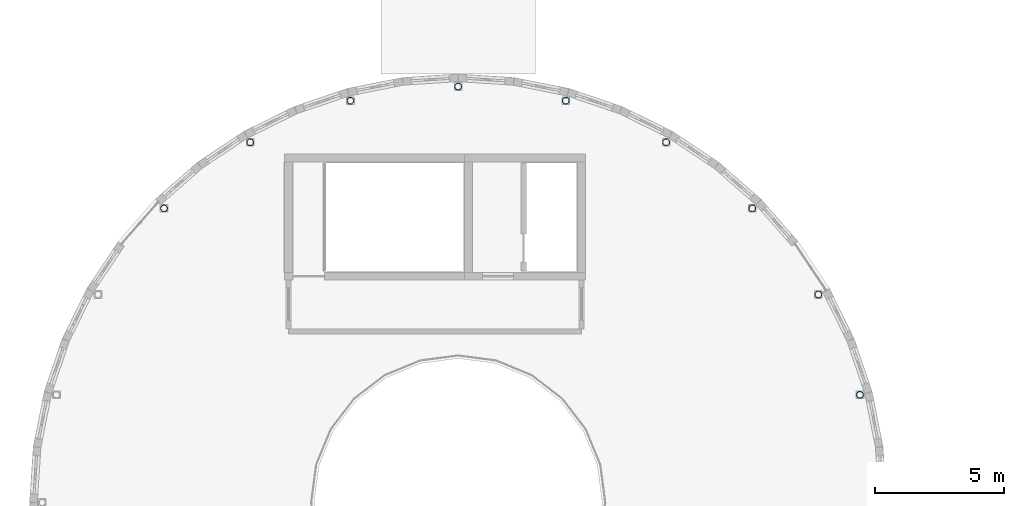
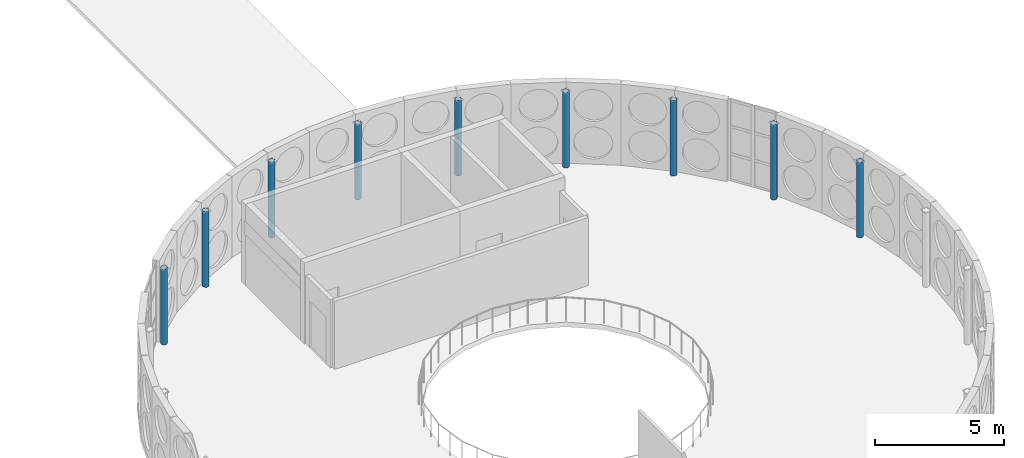
# One storey, part 5 of 114: 9 columns.
"""IFC4 building model written with IfcOpenShell, lengths in metres."""

from ifc_helpers import new_model, si_unit, direction, frame, origin, origin_2d, place, context, subcontext, project, spatial, hollow_circle, extrude, material, material_profile, profile_set, type_object, element, save


model = new_model("IFC4")

# Units and contexts
model_context = context("Model", 3, precision=1e-05, world=origin(), true_north=direction((0.0, 1.0)))
body_context = subcontext(model_context, "Body", "Model", "MODEL_VIEW")
ifc_project = project(units=[si_unit("LENGTHUNIT", "METRE"), si_unit("AREAUNIT", "SQUARE_METRE"), si_unit("VOLUMEUNIT", "CUBIC_METRE"), si_unit("PLANEANGLEUNIT", "RADIAN"), si_unit("MASSUNIT", "GRAM", prefix="KILO")], contexts=[model_context])

# Site, building, storey
site_placement = place(None, origin())
site = spatial("IfcSite", under=ifc_project, at=site_placement, CompositionType="ELEMENT")
building_placement = place(site_placement, origin())
building = spatial("IfcBuilding", under=site, at=building_placement, Name="Montecoro Central Library", CompositionType="ELEMENT")
storey_placement = place(building_placement, frame((0.0, 0.0, 13.260009765625)))
storey = spatial("IfcBuildingStorey", under=building, at=storey_placement, Name="L03", CompositionType="ELEMENT", Elevation=13.260009765625)

# Columns
ifc_material = material(Name="Steel S355", Category="steel")
ifc_material_profile = material_profile(ifc_material, hollow_circle(Radius=0.136474609375, WallThickness=0.012451171875, at=origin_2d()), Name="CHS 273.0x12.5")
ifc_profile_set = profile_set([ifc_material_profile], Name="Steel S355")
column_type = type_object("IfcColumnType", Name="COL-CHS273", PredefinedType="COLUMN", material=ifc_profile_set)
for number, where, z_axis, x_axis, name in (
    (1, (107.22900390625, 39.587890625, 0.0), (0.0, 0.0, 1.0), (1.0, 0.0, 0.0), "V1-L03-DCOL-02"),
    (2, (105.612060546875, 43.489990234375, 0.0), (0.0, 0.0, 1.0), (1.0, 0.0, 0.0), "V1-L03-DCOL-03"),
    (3, (103.041015625, 46.841064453125, 0.0), (0.0, 0.0, 1.0), (1.0, 0.0, 0.0), "V1-L03-DCOL-04"),
    (4, (99.68994140625, 49.412109375, 0.0), (0.0, 0.0, 1.0), (1.0, 0.0, 0.0), "V1-L03-DCOL-05"),
    (5, (95.7880859375, 51.029052734375, 0.0), (0.0, 0.0, 1.0), (1.0, 0.0, 0.0), "V1-L03-DCOL-06"),
    (6, (91.60009765625, 51.580078125, 0.0), (0.0, 0.0, 1.0), (1.0, 0.0, 0.0), "V1-L03-DCOL-07"),
    (7, (87.412109375, 51.029052734375, 0.0), (0.0, 0.0, 1.0), (1.0, 0.0, 0.0), "V1-L03-DCOL-08"),
    (8, (83.510009765625, 49.412109375, 0.0), (0.0, 0.0, 1.0), (1.0, 0.0, 0.0), "V1-L03-DCOL-09"),
    (9, (80.158935546875, 46.841064453125, 0.0), (0.0, 0.0, 1.0), (1.0, 0.0, 0.0), "V1-L03-DCOL-10"),
):
    element("IfcColumn", number, at=place(storey_placement, frame(where, z_axis=z_axis, x_axis=x_axis)), inside=storey, type_object=column_type, Name=name, PredefinedType="COLUMN", context=body_context, shape_type="SweptSolid", body=[
        extrude(hollow_circle(Radius=0.136474609375, WallThickness=0.012451171875, at=origin_2d()), origin(), (0.0, 0.0, 1.0), 3.580078125),
    ])

save(model, "model.ifc")
